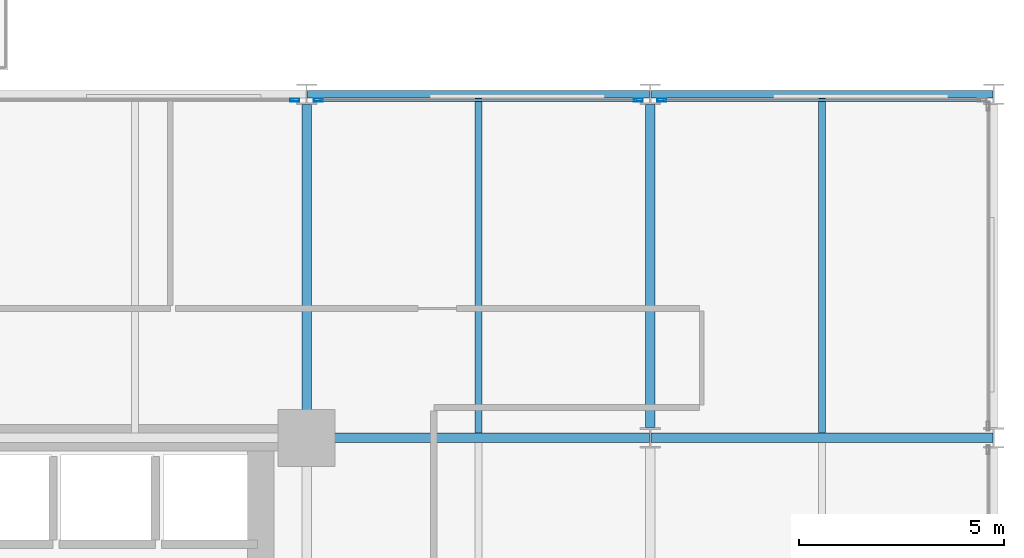
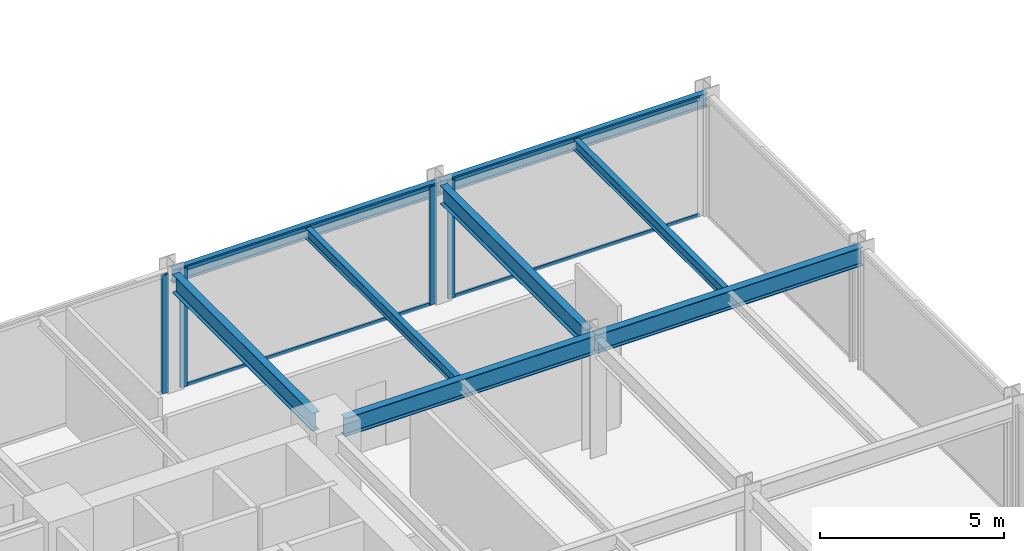
# One storey, part 12 of 24: 8 beams, 8 members, 3 elements without a shape of their own.
"""IFC4 building model written with IfcOpenShell, lengths in metres."""

from ifc_helpers import new_model, si_unit, direction, frame, origin, origin_2d, place, context, subcontext, project, spatial, hollow_rectangle, i_section, extrude, material, layer, layer_set, material_profile, profile_set, type_object, element, aggregate, save


model = new_model("IFC4")

# Units and contexts
model_context = context("Model", 3, precision=1e-05, world=origin(), true_north=direction((0.0, 1.0)))
body_context = subcontext(model_context, "Body", "Model", "MODEL_VIEW")
ifc_project = project(units=[si_unit("LENGTHUNIT", "METRE"), si_unit("AREAUNIT", "SQUARE_METRE"), si_unit("VOLUMEUNIT", "CUBIC_METRE"), si_unit("PLANEANGLEUNIT", "RADIAN"), si_unit("MASSUNIT", "GRAM", prefix="KILO")], contexts=[model_context])

# Site, building, storey
site_placement = place(None, origin())
site = spatial("IfcSite", under=ifc_project, at=site_placement, CompositionType="ELEMENT")
building_placement = place(site_placement, origin())
building = spatial("IfcBuilding", under=site, at=building_placement, Name="Nerrivon Quay Data Exchange", CompositionType="ELEMENT")
storey_placement = place(building_placement, frame((0.0, 0.0, 45.800048828125)))
storey = spatial("IfcBuildingStorey", under=building, at=storey_placement, Name="L10", CompositionType="ELEMENT", Elevation=45.800048828125)

# Beams
ifc_material_1 = material(Name="Steel Grade 350", Category="steel")
ifc_material_profile_1 = material_profile(ifc_material_1, i_section(OverallWidth=0.22900390625, OverallDepth=0.612060546875, WebThickness=0.011962890625, FlangeThickness=0.01953125, FilletRadius=0.013916015625, at=origin_2d()), Name="610UB125")
ifc_profile_set_1 = profile_set([ifc_material_profile_1], Name="Steel Grade 350")
beam_type_1 = type_object("IfcBeamType", Name="BM-G1-610UB125", PredefinedType="BEAM", material=ifc_profile_set_1)
beam_1_placement = place(storey_placement, frame((34.139892578125, 16.800048828125, 3.618896484375), z_axis=(1.0, 0.0, 0.0), x_axis=(0.0, 1.0, 0.0)))
element("IfcBeam", 1, at=beam_1_placement, inside=storey, type_object=beam_type_1, Name="L10 EW Girder Y=16.8 (33.6..42.0)", PredefinedType="BEAM", context=body_context, shape_type="SweptSolid", body=[
    extrude(i_section(OverallWidth=0.22900390625, OverallDepth=0.612060546875, WebThickness=0.011962890625, FlangeThickness=0.01953125, FilletRadius=0.013916015625, at=origin_2d()), origin(), (0.0, 0.0, 1.0), 7.84619140625),
])
beam_2_placement = place(storey_placement, frame((42.013916015625, 16.800048828125, 3.618896484375), z_axis=(1.0, 0.0, 0.0), x_axis=(0.0, 1.0, 0.0)))
element("IfcBeam", 2, at=beam_2_placement, inside=storey, type_object=beam_type_1, Name="L10 EW Girder Y=16.8 (42.0..50.4)", PredefinedType="BEAM", context=body_context, shape_type="SweptSolid", body=[
    extrude(i_section(OverallWidth=0.22900390625, OverallDepth=0.612060546875, WebThickness=0.011962890625, FlangeThickness=0.01953125, FilletRadius=0.013916015625, at=origin_2d()), origin(), (0.0, 0.0, 1.0), 8.3720703125),
])
ifc_material_profile_2 = material_profile(ifc_material_1, i_section(OverallWidth=0.22802734375, OverallDepth=0.60205078125, WebThickness=0.010498046875, FlangeThickness=0.014892578125, FilletRadius=0.013916015625, at=origin_2d()), Name="610UB101")
ifc_profile_set_2 = profile_set([ifc_material_profile_2], Name="Steel Grade 350")
beam_type_2 = type_object("IfcBeamType", Name="BM-G2-610UB101", PredefinedType="BEAM", material=ifc_profile_set_2)
beam_3_placement = place(storey_placement, frame((33.60009765625, 17.340087890625, 3.6240234375), z_axis=(0.0, 1.0, 0.0), x_axis=(-1.0, 0.0, 0.0)))
element("IfcBeam", 3, at=beam_3_placement, inside=storey, type_object=beam_type_2, Name="L10 NS Girder X=33.6 (16.8..25.2)", PredefinedType="BEAM", context=body_context, shape_type="SweptSolid", body=[
    extrude(i_section(OverallWidth=0.22802734375, OverallDepth=0.60205078125, WebThickness=0.010498046875, FlangeThickness=0.014892578125, FilletRadius=0.013916015625, at=origin_2d()), origin(), (0.0, 0.0, 1.0), 7.60986328125),
])
beam_4_placement = place(storey_placement, frame((42.0, 17.050048828125, 3.6240234375), z_axis=(0.0, 1.0, 0.0), x_axis=(-1.0, 0.0, 0.0)))
element("IfcBeam", 4, at=beam_4_placement, inside=storey, type_object=beam_type_2, Name="L10 NS Girder X=42.0 (16.8..25.2)", PredefinedType="BEAM", context=body_context, shape_type="SweptSolid", body=[
    extrude(i_section(OverallWidth=0.22802734375, OverallDepth=0.60205078125, WebThickness=0.010498046875, FlangeThickness=0.014892578125, FilletRadius=0.013916015625, at=origin_2d()), origin(), (0.0, 0.0, 1.0), 7.89990234375),
])
ifc_material_profile_3 = material_profile(ifc_material_1, i_section(OverallWidth=0.172119140625, OverallDepth=0.35888671875, WebThickness=0.008056640625, FlangeThickness=0.012939453125, FilletRadius=0.011474609375, at=origin_2d()), Name="360UB56.7")
ifc_profile_set_3 = profile_set([ifc_material_profile_3], Name="Steel Grade 350")
beam_type_3 = type_object("IfcBeamType", Name="BM-J3-360UB57", PredefinedType="JOIST", material=ifc_profile_set_3)
for number, where, z_axis, x_axis, name in (
    (5, (37.800048828125, 16.91455078125, 3.745361328125), (0.0, 1.0, 0.0), (-1.0, 0.0, 0.0), "L10 Secondary Joist X=37.8 (16.8..25.2)"),
    (6, (46.199951171875, 16.91455078125, 3.745361328125), (0.0, 1.0, 0.0), (-1.0, 0.0, 0.0), "L10 Secondary Joist X=46.2 (16.8..25.2)"),
):
    element("IfcBeam", number, at=place(storey_placement, frame(where, z_axis=z_axis, x_axis=x_axis)), inside=storey, type_object=beam_type_3, Name=name, PredefinedType="JOIST", context=body_context, shape_type="SweptSolid", body=[
        extrude(i_section(OverallWidth=0.172119140625, OverallDepth=0.35888671875, WebThickness=0.008056640625, FlangeThickness=0.012939453125, FilletRadius=0.011474609375, at=origin_2d()), origin(), (0.0, 0.0, 1.0), 8.1904296875),
    ])
ifc_material_profile_4 = material_profile(ifc_material_1, i_section(OverallWidth=0.18994140625, OverallDepth=0.4541015625, WebThickness=0.008544921875, FlangeThickness=0.0126953125, FilletRadius=0.011474609375, at=origin_2d()), Name="460UB67.1")
ifc_profile_set_4 = profile_set([ifc_material_profile_4], Name="Steel Grade 350")
beam_type_4 = type_object("IfcBeamType", Name="BM-SP1-460UB67", PredefinedType="SPANDREL", material=ifc_profile_set_4)
for number, where, z_axis, x_axis, name in (
    (7, (33.614013671875, 25.199951171875, 3.697998046875), (1.0, 0.0, 0.0), (0.0, 1.0, 0.0), "L10 EW Girder Y=25.2 (33.6..42.0)"),
    (8, (42.013916015625, 25.199951171875, 3.697998046875), (1.0, 0.0, 0.0), (0.0, 1.0, 0.0), "L10 EW Girder Y=25.2 (42.0..50.4)"),
):
    element("IfcBeam", number, at=place(storey_placement, frame(where, z_axis=z_axis, x_axis=x_axis)), inside=storey, type_object=beam_type_4, Name=name, PredefinedType="SPANDREL", context=body_context, shape_type="SweptSolid", body=[
        extrude(i_section(OverallWidth=0.18994140625, OverallDepth=0.4541015625, WebThickness=0.008544921875, FlangeThickness=0.0126953125, FilletRadius=0.011474609375, at=origin_2d()), origin(), (0.0, 0.0, 1.0), 8.3720703125),
    ])

# Curtain wall, member
ifc_material_2 = material(Name="Anodised aluminium 6063-T6", Category="aluminium")
ifc_layer = layer(ifc_material_2, 0.219970703125)
ifc_layer_set = layer_set([ifc_layer], Name="Anodised aluminium 6063-T6")
curtain_wall_type = type_object("IfcCurtainWallType", Name="CW-SYS-01", PredefinedType="NOTDEFINED", material=ifc_layer_set)
curtain_wall_1_placement = place(storey_placement, origin())
curtain_wall_1 = element("IfcCurtainWall", 9, at=curtain_wall_1_placement, inside=storey, type_object=curtain_wall_type, Name="L10 Unitised Curtain Wall 28", PredefinedType="NOTDEFINED")
ifc_material_profile_5 = material_profile(ifc_material_2, hollow_rectangle(XDim=0.074951171875, YDim=0.219970703125, WallThickness=0.00390625, at=origin_2d()), Name="ALU-MULL-220x75")
ifc_profile_set_5 = profile_set([ifc_material_profile_5], Name="Anodised aluminium 6063-T6")
member_type_1 = type_object("IfcMemberType", Name="CWM-220x75", PredefinedType="MULLION", material=ifc_profile_set_5)
member_1_placement = place(storey_placement, frame((33.3125, 25.06005859375, 0.0), z_axis=(0.0, 0.0, 1.0), x_axis=(0.0, 1.0, 0.0)))
member_1 = element("IfcMember", 10, at=member_1_placement, type_object=member_type_1, Name="CW01 mullion 2", PredefinedType="MULLION", context=body_context, shape_type="SweptSolid", body=[
    extrude(hollow_rectangle(XDim=0.074951171875, YDim=0.219970703125, WallThickness=0.00390625, at=origin_2d()), origin(), (0.0, 0.0, 1.0), 3.925048828125),
])
aggregate(curtain_wall_1, [member_1])

# Curtain wall, members
curtain_wall_2_placement = place(storey_placement, origin())
curtain_wall_2 = element("IfcCurtainWall", 11, at=curtain_wall_2_placement, inside=storey, type_object=curtain_wall_type, Name="L10 Unitised Curtain Wall 29", PredefinedType="NOTDEFINED")
member_2_placement = place(storey_placement, frame((33.887451171875, 25.06005859375, 0.0), z_axis=(0.0, 0.0, 1.0), x_axis=(0.0, 1.0, 0.0)))
member_2 = element("IfcMember", 12, at=member_2_placement, type_object=member_type_1, Name="CW01 mullion 1", PredefinedType="MULLION", context=body_context, shape_type="SweptSolid", body=[
    extrude(hollow_rectangle(XDim=0.074951171875, YDim=0.219970703125, WallThickness=0.00390625, at=origin_2d()), origin(), (0.0, 0.0, 1.0), 3.925048828125),
])
member_3_placement = place(storey_placement, frame((41.71240234375, 25.06005859375, 0.0), z_axis=(0.0, 0.0, 1.0), x_axis=(0.0, 1.0, 0.0)))
member_3 = element("IfcMember", 13, at=member_3_placement, type_object=member_type_1, Name="CW01 mullion 2", PredefinedType="MULLION", context=body_context, shape_type="SweptSolid", body=[
    extrude(hollow_rectangle(XDim=0.074951171875, YDim=0.219970703125, WallThickness=0.00390625, at=origin_2d()), origin(), (0.0, 0.0, 1.0), 3.925048828125),
])

# Curtain wall, member
curtain_wall_3_placement = place(storey_placement, origin())
curtain_wall_3 = element("IfcCurtainWall", 14, at=curtain_wall_3_placement, inside=storey, type_object=curtain_wall_type, Name="L10 Unitised Curtain Wall 30", PredefinedType="NOTDEFINED")
member_4_placement = place(storey_placement, frame((42.28759765625, 25.06005859375, 0.0), z_axis=(0.0, 0.0, 1.0), x_axis=(0.0, 1.0, 0.0)))
member_4 = element("IfcMember", 15, at=member_4_placement, type_object=member_type_1, Name="CW01 mullion 1", PredefinedType="MULLION", context=body_context, shape_type="SweptSolid", body=[
    extrude(hollow_rectangle(XDim=0.074951171875, YDim=0.219970703125, WallThickness=0.00390625, at=origin_2d()), origin(), (0.0, 0.0, 1.0), 3.925048828125),
])

# Member
ifc_material_profile_6 = material_profile(ifc_material_2, hollow_rectangle(XDim=0.06005859375, YDim=0.1201171875, WallThickness=0.003173828125, at=origin_2d()), Name="ALU-TRAN-120x60")
ifc_profile_set_6 = profile_set([ifc_material_profile_6], Name="Anodised aluminium 6063-T6")
member_type_2 = type_object("IfcMemberType", Name="CWT-120x60", PredefinedType="USERDEFINED", material=ifc_profile_set_6)
member_5_placement = place(storey_placement, frame((33.925048828125, 25.06005859375, 0.032470703125), z_axis=(1.0, 0.0, 0.0), x_axis=(0.0, 1.0, 0.0)))
member_5 = element("IfcMember", 16, at=member_5_placement, type_object=member_type_2, Name="CW01 transom 1.1", ObjectType="TRANSOM", PredefinedType="USERDEFINED", context=body_context, shape_type="SweptSolid", body=[
    extrude(hollow_rectangle(XDim=0.06005859375, YDim=0.1201171875, WallThickness=0.003173828125, at=origin_2d()), origin(), (0.0, 0.0, 1.0), 7.75),
])

member_6_placement = place(storey_placement, frame((33.925048828125, 25.06005859375, 3.892333984375), z_axis=(1.0, 0.0, 0.0), x_axis=(0.0, 1.0, 0.0)))
member_6 = element("IfcMember", 17, at=member_6_placement, type_object=member_type_2, Name="CW01 transom 1.2", ObjectType="TRANSOM", PredefinedType="USERDEFINED", context=body_context, shape_type="SweptSolid", body=[
    extrude(hollow_rectangle(XDim=0.06005859375, YDim=0.1201171875, WallThickness=0.003173828125, at=origin_2d()), origin(), (0.0, 0.0, 1.0), 7.75),
])

aggregate(curtain_wall_2, [member_2, member_3, member_5, member_6])

member_7_placement = place(storey_placement, frame((42.324951171875, 25.06005859375, 0.032470703125), z_axis=(1.0, 0.0, 0.0), x_axis=(0.0, 1.0, 0.0)))
member_7 = element("IfcMember", 18, at=member_7_placement, type_object=member_type_2, Name="CW01 transom 1.1", ObjectType="TRANSOM", PredefinedType="USERDEFINED", context=body_context, shape_type="SweptSolid", body=[
    extrude(hollow_rectangle(XDim=0.06005859375, YDim=0.1201171875, WallThickness=0.003173828125, at=origin_2d()), origin(), (0.0, 0.0, 1.0), 7.75),
])

member_8_placement = place(storey_placement, frame((42.324951171875, 25.06005859375, 3.892333984375), z_axis=(1.0, 0.0, 0.0), x_axis=(0.0, 1.0, 0.0)))
member_8 = element("IfcMember", 19, at=member_8_placement, type_object=member_type_2, Name="CW01 transom 1.2", ObjectType="TRANSOM", PredefinedType="USERDEFINED", context=body_context, shape_type="SweptSolid", body=[
    extrude(hollow_rectangle(XDim=0.06005859375, YDim=0.1201171875, WallThickness=0.003173828125, at=origin_2d()), origin(), (0.0, 0.0, 1.0), 7.75),
])

aggregate(curtain_wall_3, [member_4, member_7, member_8])

save(model, "model.ifc")
